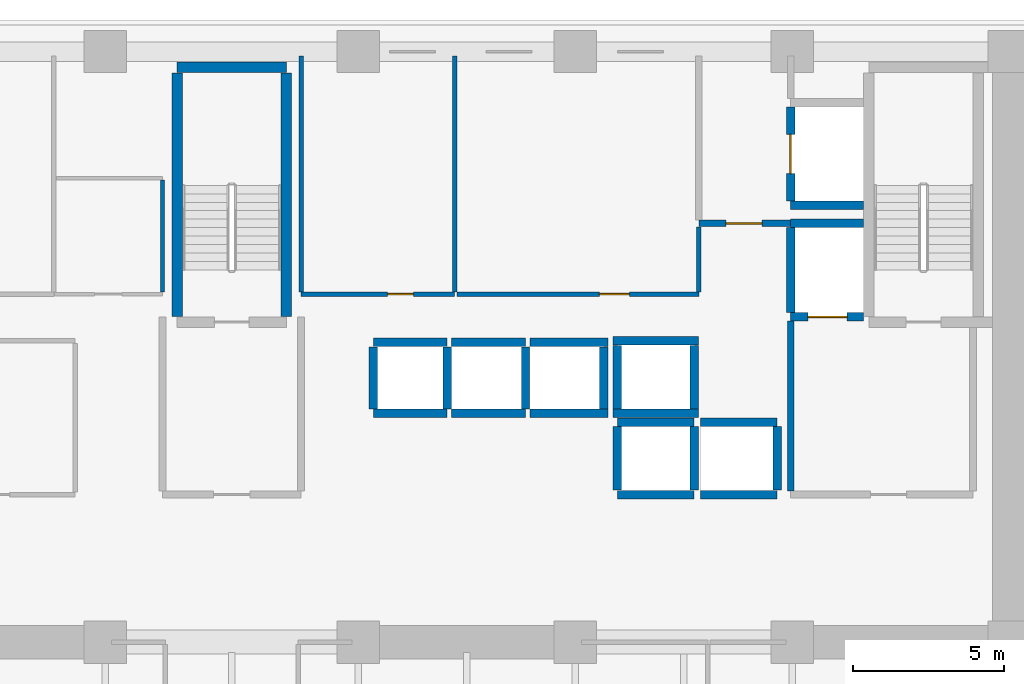
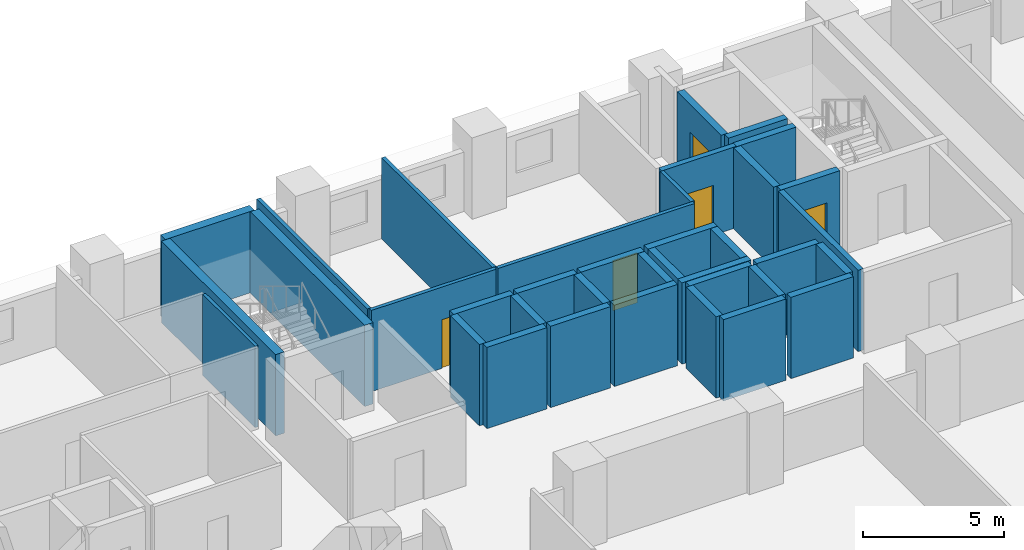
# One storey, part 8 of 15: 37 walls, 5 doors, 5 openings.
"""IFC4 building model written with IfcOpenShell, lengths in metres."""

from ifc_helpers import new_model, si_unit, direction, frame, frame_2d, origin, place, context, subcontext, project, spatial, rectangle, extrude, material, layer, layer_set, type_object, element, fill, save


model = new_model("IFC4")

# Units and contexts
model_context = context("Model", 3, precision=1e-05, world=origin(), true_north=direction((0.0, 1.0)))
body_context = subcontext(model_context, "Body", "Model", "MODEL_VIEW")
ifc_project = project(units=[si_unit("LENGTHUNIT", "METRE"), si_unit("AREAUNIT", "SQUARE_METRE"), si_unit("VOLUMEUNIT", "CUBIC_METRE"), si_unit("PLANEANGLEUNIT", "RADIAN"), si_unit("MASSUNIT", "GRAM", prefix="KILO")], contexts=[model_context])

# Site, building, storey
site_placement = place(None, origin())
site = spatial("IfcSite", under=ifc_project, at=site_placement, CompositionType="ELEMENT")
building_placement = place(site_placement, origin())
building = spatial("IfcBuilding", under=site, at=building_placement, Name="Kaelvorn Grand Hotel", CompositionType="ELEMENT")
storey_placement = place(building_placement, frame((0.0, 0.0, 50.14990234375)))
storey = spatial("IfcBuildingStorey", under=building, at=storey_placement, Name="L10", CompositionType="ELEMENT", Elevation=50.14990234375)

# Wall
ifc_material_1 = material(Name="Moisture-Resistant Tile & Stud Board")
ifc_layer_1 = layer(ifc_material_1, 0.125)
ifc_layer_set_1 = layer_set([ifc_layer_1], Name="Moisture-Resistant Tile & Stud Board")
wall_type_1 = type_object("IfcWallType", Name="WL-PART-125-WET", PredefinedType="PARTITIONING", material=ifc_layer_set_1)
wall_1_placement = place(storey_placement, frame((39.699951171875, 41.017578125, 0.0), z_axis=(0.0, 0.0, 1.0), x_axis=(0.0, 1.0, 0.0)))
element("IfcWall", 1, at=wall_1_placement, inside=storey, type_object=wall_type_1, Name="L10 Accessible WC E Partition", PredefinedType="PARTITIONING", context=body_context, shape_type="SweptSolid", body=[
    extrude(rectangle(XDim=3.71484375, YDim=0.125, at=frame_2d((1.857421875, 0.0))), origin(), (0.0, 0.0, 1.0), 3.510009765625),
])

# Wall, opening, door
ifc_material_2 = material(Name="Acoustic Gypsum & Stud Partition")
ifc_layer_2 = layer(ifc_material_2, 0.14990234375)
ifc_layer_set_2 = layer_set([ifc_layer_2], Name="Acoustic Gypsum & Stud Partition")
wall_type_2 = type_object("IfcWallType", Name="WL-PART-150-EI60", PredefinedType="PARTITIONING", material=ifc_layer_set_2)
wall_2_placement = place(storey_placement, frame((44.300048828125, 40.949951171875, 0.0), z_axis=(0.0, 0.0, 1.0), x_axis=(1.0, 0.0, 0.0)))
wall_2 = element("IfcWall", 2, at=wall_2_placement, inside=storey, type_object=wall_type_2, Name="L10 Laundry Chute Vestibule S Partition", PredefinedType="PARTITIONING", context=body_context, shape_type="SweptSolid", body=[
    extrude(rectangle(XDim=5.099853515625, YDim=0.14990234375, at=frame_2d((2.5498046875, 0.0))), origin(), (0.0, 0.0, 1.0), 3.510009765625),
])
opening_1_placement = place(wall_2_placement, frame((2.875, 0.0, 0.0)))
opening_1 = element("IfcOpeningElement", 3, at=opening_1_placement, cuts=wall_2, Name="Opening DI7", PredefinedType="OPENING", context=body_context, shape_type="SweptSolid", body=[
    extrude(rectangle(XDim=0.85009765625, YDim=2.10009765625, at=frame_2d((0.425048828125, 1.050048828125))), frame((0.0, 0.0849609375, 0.0), z_axis=(0.0, -1.0, 0.0), x_axis=(1.0, 0.0, 0.0)), (0.0, 0.0, 1.0), 0.169921875),
])
ifc_material_3 = material(Name="Powder-Coated Steel Leaf", Category="steel")
door_type_1 = type_object("IfcDoorType", Name="DR-INT-RISER-850x2100", OperationType="NOTDEFINED", PredefinedType="DOOR", material=ifc_material_3)
door_1_placement = place(opening_1_placement, origin())
door_1 = element("IfcDoor", 4, at=door_1_placement, inside=storey, type_object=door_type_1, Name="L10 Laundry Chute Vestibule Door", OperationType="SINGLE_SWING_RIGHT", OverallHeight=2.10009765625, OverallWidth=0.85009765625, PredefinedType="DOOR", context=body_context, shape_type="SweptSolid", body=[
    extrude(rectangle(XDim=0.85009765625, YDim=2.10009765625, at=frame_2d((0.425048828125, 1.050048828125))), frame((0.0, 0.02490234375, 0.0), z_axis=(0.0, -1.0, 0.0), x_axis=(1.0, 0.0, 0.0)), (0.0, 0.0, 1.0), 0.050048828125),
])
fill(opening_1, door_1)

# Walls
for number, where, z_axis, x_axis, name in (
    (5, (44.300048828125, 41.030029296875, 0.0), (0.0, 0.0, 1.0), (0.0, 1.0, 0.0), "L10 Laundry Chute Vestibule W Partition"),
    (6, (49.39990234375, 41.030029296875, 0.0), (0.0, 0.0, 1.0), (0.0, 1.0, 0.0), "L10 Laundry Chute Vestibule E Partition"),
):
    element("IfcWall", number, at=place(storey_placement, frame(where, z_axis=z_axis, x_axis=x_axis)), inside=storey, type_object=wall_type_2, Name=name, PredefinedType="PARTITIONING", context=body_context, shape_type="SweptSolid", body=[
        extrude(rectangle(XDim=7.820068359375, YDim=0.14990234375, at=frame_2d((3.91015625, 0.0))), origin(), (0.0, 0.0, 1.0), 3.510009765625),
    ])

# Wall, opening, door
wall_3_placement = place(storey_placement, frame((49.47998046875, 40.949951171875, 0.0), z_axis=(0.0, 0.0, 1.0), x_axis=(1.0, 0.0, 0.0)))
wall_3 = element("IfcWall", 7, at=wall_3_placement, inside=storey, type_object=wall_type_2, Name="L10 Butler Servery Pantry S Partition", PredefinedType="PARTITIONING", context=body_context, shape_type="SweptSolid", body=[
    extrude(rectangle(XDim=8.02001953125, YDim=0.14990234375, at=frame_2d((4.010009765625, 0.0))), origin(), (0.0, 0.0, 1.0), 3.510009765625),
])
opening_2_placement = place(wall_3_placement, frame((4.719970703125, 0.0, 0.0)))
opening_2 = element("IfcOpeningElement", 8, at=opening_2_placement, cuts=wall_3, Name="Opening DI3", PredefinedType="OPENING", context=body_context, shape_type="SweptSolid", body=[
    extrude(rectangle(XDim=1.0, YDim=2.14990234375, at=frame_2d((0.5, 1.074951171875))), frame((0.0, 0.0849609375, 0.0), z_axis=(0.0, -1.0, 0.0), x_axis=(1.0, 0.0, 0.0)), (0.0, 0.0, 1.0), 0.169921875),
])
ifc_material_4 = material(Name="Timber Veneer Fire Leaf", Category="wood")
door_type_2 = type_object("IfcDoorType", Name="DR-INT-GUEST-1000x2150", OperationType="NOTDEFINED", PredefinedType="DOOR", material=ifc_material_4)
door_2_placement = place(opening_2_placement, origin())
door_2 = element("IfcDoor", 9, at=door_2_placement, inside=storey, type_object=door_type_2, Name="L10 Butler Servery Pantry Door", OperationType="SINGLE_SWING_LEFT", OverallHeight=2.14990234375, OverallWidth=1.0, PredefinedType="DOOR", context=body_context, shape_type="SweptSolid", body=[
    extrude(rectangle(XDim=1.0, YDim=2.14990234375, at=frame_2d((0.5, 1.074951171875))), frame((0.0, 0.02490234375, 0.0), z_axis=(0.0, -1.0, 0.0), x_axis=(1.0, 0.0, 0.0)), (0.0, 0.0, 1.0), 0.050048828125),
])
fill(opening_2, door_2)

# Walls
wall_4_placement = place(storey_placement, frame((57.5, 41.030029296875, 0.0), z_axis=(0.0, 0.0, 1.0), x_axis=(0.0, 1.0, 0.0)))
element("IfcWall", 10, at=wall_4_placement, inside=storey, type_object=wall_type_2, Name="L10 Butler Servery Pantry E Partition", PredefinedType="PARTITIONING", context=body_context, shape_type="SweptSolid", body=[
    extrude(rectangle(XDim=2.155029296875, YDim=0.14990234375, at=frame_2d((1.07763671875, 0.0))), origin(), (0.0, 0.0, 1.0), 3.510009765625),
])
ifc_material_5 = material(Name="Concrete C40/50", Category="concrete")
ifc_layer_3 = layer(ifc_material_5, 0.219970703125)
ifc_layer_set_3 = layer_set([ifc_layer_3], Name="Concrete C40/50")
wall_type_3 = type_object("IfcWallType", Name="WL-PART-220-EI120", PredefinedType="PARTITIONING", material=ifc_layer_set_3)
wall_5_placement = place(storey_placement, frame((60.550048828125, 34.4150390625, 0.0), z_axis=(0.0, 0.0, 1.0), x_axis=(0.0, 1.0, 0.0)))
element("IfcWall", 11, at=wall_5_placement, inside=storey, type_object=wall_type_3, Name="L10 Firefighting Lift Lobby 2 W Partition", PredefinedType="PARTITIONING", context=body_context, shape_type="SweptSolid", body=[
    extrude(rectangle(XDim=5.639892578125, YDim=0.219970703125, at=frame_2d((2.81982421875, 0.0))), origin(), (0.0, 0.0, 1.0), 3.510009765625),
])

# Wall, opening, door
wall_6_placement = place(storey_placement, frame((57.5, 43.300048828125, 0.0), z_axis=(0.0, 0.0, 1.0), x_axis=(1.0, 0.0, 0.0)))
wall_6 = element("IfcWall", 12, at=wall_6_placement, inside=storey, type_object=wall_type_3, Name="L10 Service Lift Lobby S Partition", PredefinedType="PARTITIONING", context=body_context, shape_type="SweptSolid", body=[
    extrude(rectangle(XDim=3.0400390625, YDim=0.219970703125, at=frame_2d((1.52001953125, 0.0))), origin(), (0.0, 0.0, 1.0), 3.510009765625),
])
opening_3_placement = place(wall_6_placement, frame((0.89990234375, 0.0, 0.0)))
opening_3 = element("IfcOpeningElement", 13, at=opening_3_placement, cuts=wall_6, Name="Opening DI2", PredefinedType="OPENING", context=body_context, shape_type="SweptSolid", body=[
    extrude(rectangle(XDim=1.199951171875, YDim=2.14990234375, at=frame_2d((0.60009765625, 1.074951171875))), frame((0.0, 0.1201171875, 0.0), z_axis=(0.0, -1.0, 0.0), x_axis=(1.0, 0.0, 0.0)), (0.0, 0.0, 1.0), 0.239990234375),
])
door_type_3 = type_object("IfcDoorType", Name="DR-INT-FFLOB-1200x2150", OperationType="NOTDEFINED", PredefinedType="DOOR", material=ifc_material_4)
door_3_placement = place(opening_3_placement, origin())
door_3 = element("IfcDoor", 14, at=door_3_placement, inside=storey, type_object=door_type_3, Name="L10 Service Lift Lobby Door", OperationType="SINGLE_SWING_LEFT", OverallHeight=2.14990234375, OverallWidth=1.199951171875, PredefinedType="DOOR", context=body_context, shape_type="SweptSolid", body=[
    extrude(rectangle(XDim=1.199951171875, YDim=2.14990234375, at=frame_2d((0.60009765625, 1.074951171875))), frame((0.0, 0.02490234375, 0.0), z_axis=(0.0, -1.0, 0.0), x_axis=(1.0, 0.0, 0.0)), (0.0, 0.0, 1.0), 0.050048828125),
])
fill(opening_3, door_3)

# Walls
ifc_material_6 = material(Name="Concrete C50/60", Category="concrete")
ifc_layer_4 = layer(ifc_material_6, 0.280029296875)
ifc_layer_set_4 = layer_set([ifc_layer_4], Name="Concrete C50/60")
wall_type_4 = type_object("IfcWallType", Name="WL-SHAFT-280-C50", PredefinedType="SHEAR", material=ifc_layer_set_4)
for number, where, z_axis, x_axis, name in (
    (15, (46.699951171875, 37.0, 0.0), (0.0, 0.0, 1.0), (1.0, 0.0, 0.0), "L10 Lift SL-1 Shaft South Wall"),
    (16, (46.699951171875, 39.35009765625, 0.0), (0.0, 0.0, 1.0), (1.0, 0.0, 0.0), "L10 Lift SL-1 Shaft North Wall"),
):
    element("IfcWall", number, at=place(storey_placement, frame(where, z_axis=z_axis, x_axis=x_axis)), inside=storey, type_object=wall_type_4, Name=name, PredefinedType="SHEAR", context=body_context, shape_type="SweptSolid", body=[
        extrude(rectangle(XDim=2.449951171875, YDim=0.280029296875, at=frame_2d((1.22509765625, 0.0))), origin(), (0.0, 0.0, 1.0), 3.510009765625),
    ])
for number, where, z_axis, x_axis, name in (
    (17, (46.699951171875, 37.14501953125, 0.0), (0.0, 0.0, 1.0), (0.0, 1.0, 0.0), "L10 Lift SL-1 Shaft West Wall"),
    (18, (49.14990234375, 37.14501953125, 0.0), (0.0, 0.0, 1.0), (0.0, 1.0, 0.0), "L10 Lift SL-1 Shaft East Wall"),
):
    element("IfcWall", number, at=place(storey_placement, frame(where, z_axis=z_axis, x_axis=x_axis)), inside=storey, type_object=wall_type_4, Name=name, PredefinedType="SHEAR", context=body_context, shape_type="SweptSolid", body=[
        extrude(rectangle(XDim=2.06005859375, YDim=0.280029296875, at=frame_2d((1.030029296875, 0.0))), origin(), (0.0, 0.0, 1.0), 3.510009765625),
    ])
for number, where, z_axis, x_axis, name in (
    (19, (49.300048828125, 37.0, 0.0), (0.0, 0.0, 1.0), (1.0, 0.0, 0.0), "L10 Lift SL-2 Shaft South Wall"),
    (20, (49.300048828125, 39.35009765625, 0.0), (0.0, 0.0, 1.0), (1.0, 0.0, 0.0), "L10 Lift SL-2 Shaft North Wall"),
):
    element("IfcWall", number, at=place(storey_placement, frame(where, z_axis=z_axis, x_axis=x_axis)), inside=storey, type_object=wall_type_4, Name=name, PredefinedType="SHEAR", context=body_context, shape_type="SweptSolid", body=[
        extrude(rectangle(XDim=2.449951171875, YDim=0.280029296875, at=frame_2d((1.22509765625, 0.0))), origin(), (0.0, 0.0, 1.0), 3.510009765625),
    ])
wall_7_placement = place(storey_placement, frame((51.75, 37.14501953125, 0.0), z_axis=(0.0, 0.0, 1.0), x_axis=(0.0, 1.0, 0.0)))
element("IfcWall", 21, at=wall_7_placement, inside=storey, type_object=wall_type_4, Name="L10 Lift SL-2 Shaft East Wall", PredefinedType="SHEAR", context=body_context, shape_type="SweptSolid", body=[
    extrude(rectangle(XDim=2.06005859375, YDim=0.280029296875, at=frame_2d((1.030029296875, 0.0))), origin(), (0.0, 0.0, 1.0), 3.510009765625),
])
for number, where, z_axis, x_axis, name in (
    (22, (51.89990234375, 37.0, 0.0), (0.0, 0.0, 1.0), (1.0, 0.0, 0.0), "L10 Lift SL-3 Shaft South Wall"),
    (23, (51.89990234375, 39.35009765625, 0.0), (0.0, 0.0, 1.0), (1.0, 0.0, 0.0), "L10 Lift SL-3 Shaft North Wall"),
):
    element("IfcWall", number, at=place(storey_placement, frame(where, z_axis=z_axis, x_axis=x_axis)), inside=storey, type_object=wall_type_4, Name=name, PredefinedType="SHEAR", context=body_context, shape_type="SweptSolid", body=[
        extrude(rectangle(XDim=2.590087890625, YDim=0.280029296875, at=frame_2d((1.294921875, 0.0))), origin(), (0.0, 0.0, 1.0), 3.510009765625),
    ])
wall_8_placement = place(storey_placement, frame((54.35009765625, 37.14501953125, 0.0), z_axis=(0.0, 0.0, 1.0), x_axis=(0.0, 1.0, 0.0)))
element("IfcWall", 24, at=wall_8_placement, inside=storey, type_object=wall_type_4, Name="L10 Lift SL-3 Shaft East Wall", PredefinedType="SHEAR", context=body_context, shape_type="SweptSolid", body=[
    extrude(rectangle(XDim=2.06005859375, YDim=0.280029296875, at=frame_2d((1.030029296875, 0.0))), origin(), (0.0, 0.0, 1.0), 3.510009765625),
])
for number, where, z_axis, x_axis, name in (
    (25, (54.800048828125, 34.300048828125, 0.0), (0.0, 0.0, 1.0), (1.0, 0.0, 0.0), "L10 Lift OL-1 Shaft South Wall"),
    (26, (54.800048828125, 36.699951171875, 0.0), (0.0, 0.0, 1.0), (1.0, 0.0, 0.0), "L10 Lift OL-1 Shaft North Wall"),
):
    element("IfcWall", number, at=place(storey_placement, frame(where, z_axis=z_axis, x_axis=x_axis)), inside=storey, type_object=wall_type_4, Name=name, PredefinedType="SHEAR", context=body_context, shape_type="SweptSolid", body=[
        extrude(rectangle(XDim=2.550048828125, YDim=0.280029296875, at=frame_2d((1.27490234375, 0.0))), origin(), (0.0, 0.0, 1.0), 3.510009765625),
    ])
for number, where, z_axis, x_axis, name in (
    (27, (54.800048828125, 34.445068359375, 0.0), (0.0, 0.0, 1.0), (0.0, 1.0, 0.0), "L10 Lift OL-1 Shaft West Wall"),
    (28, (57.35009765625, 34.445068359375, 0.0), (0.0, 0.0, 1.0), (0.0, 1.0, 0.0), "L10 Lift OL-1 Shaft East Wall"),
):
    element("IfcWall", number, at=place(storey_placement, frame(where, z_axis=z_axis, x_axis=x_axis)), inside=storey, type_object=wall_type_4, Name=name, PredefinedType="SHEAR", context=body_context, shape_type="SweptSolid", body=[
        extrude(rectangle(XDim=2.10986328125, YDim=0.280029296875, at=frame_2d((1.054931640625, 0.0))), origin(), (0.0, 0.0, 1.0), 3.510009765625),
    ])
for number, where, z_axis, x_axis, name in (
    (29, (57.550048828125, 34.300048828125, 0.0), (0.0, 0.0, 1.0), (1.0, 0.0, 0.0), "L10 Lift OL-2 Shaft South Wall"),
    (30, (57.550048828125, 36.699951171875, 0.0), (0.0, 0.0, 1.0), (1.0, 0.0, 0.0), "L10 Lift OL-2 Shaft North Wall"),
):
    element("IfcWall", number, at=place(storey_placement, frame(where, z_axis=z_axis, x_axis=x_axis)), inside=storey, type_object=wall_type_4, Name=name, PredefinedType="SHEAR", context=body_context, shape_type="SweptSolid", body=[
        extrude(rectangle(XDim=2.550048828125, YDim=0.280029296875, at=frame_2d((1.27490234375, 0.0))), origin(), (0.0, 0.0, 1.0), 3.510009765625),
    ])
wall_9_placement = place(storey_placement, frame((60.10009765625, 34.445068359375, 0.0), z_axis=(0.0, 0.0, 1.0), x_axis=(0.0, 1.0, 0.0)))
element("IfcWall", 31, at=wall_9_placement, inside=storey, type_object=wall_type_4, Name="L10 Lift OL-2 Shaft East Wall", PredefinedType="SHEAR", context=body_context, shape_type="SweptSolid", body=[
    extrude(rectangle(XDim=2.10986328125, YDim=0.280029296875, at=frame_2d((1.054931640625, 0.0))), origin(), (0.0, 0.0, 1.0), 3.510009765625),
])
for number, where, z_axis, x_axis, name in (
    (32, (54.659912109375, 37.0, 0.0), (0.0, 0.0, 1.0), (1.0, 0.0, 0.0), "L10 Lift OL-3 Shaft South Wall"),
    (33, (54.659912109375, 39.39990234375, 0.0), (0.0, 0.0, 1.0), (1.0, 0.0, 0.0), "L10 Lift OL-3 Shaft North Wall"),
):
    element("IfcWall", number, at=place(storey_placement, frame(where, z_axis=z_axis, x_axis=x_axis)), inside=storey, type_object=wall_type_4, Name=name, PredefinedType="SHEAR", context=body_context, shape_type="SweptSolid", body=[
        extrude(rectangle(XDim=2.830078125, YDim=0.280029296875, at=frame_2d((1.4150390625, 0.0))), origin(), (0.0, 0.0, 1.0), 3.510009765625),
    ])
for number, where, z_axis, x_axis, name in (
    (34, (54.800048828125, 37.14501953125, 0.0), (0.0, 0.0, 1.0), (0.0, 1.0, 0.0), "L10 Lift OL-3 Shaft West Wall"),
    (35, (57.35009765625, 37.14501953125, 0.0), (0.0, 0.0, 1.0), (0.0, 1.0, 0.0), "L10 Lift OL-3 Shaft East Wall"),
):
    element("IfcWall", number, at=place(storey_placement, frame(where, z_axis=z_axis, x_axis=x_axis)), inside=storey, type_object=wall_type_4, Name=name, PredefinedType="SHEAR", context=body_context, shape_type="SweptSolid", body=[
        extrude(rectangle(XDim=2.10986328125, YDim=0.280029296875, at=frame_2d((1.054931640625, 0.0))), origin(), (0.0, 0.0, 1.0), 3.510009765625),
    ])

# Wall, opening, door
wall_10_placement = place(storey_placement, frame((60.550048828125, 40.199951171875, 0.0), z_axis=(0.0, 0.0, 1.0), x_axis=(1.0, 0.0, 0.0)))
wall_10 = element("IfcWall", 36, at=wall_10_placement, inside=storey, type_object=wall_type_4, Name="L10 Lift FFL2 Shaft South Wall", PredefinedType="SHEAR", context=body_context, shape_type="SweptSolid", body=[
    extrude(rectangle(XDim=2.4150390625, YDim=0.280029296875, at=frame_2d((1.20751953125, 0.0))), origin(), (0.0, 0.0, 1.0), 3.510009765625),
])
opening_4_placement = place(wall_10_placement, frame((0.574951171875, 0.0, 0.0)))
opening_4 = element("IfcOpeningElement", 37, at=opening_4_placement, cuts=wall_10, Name="Opening LD-FFL2", PredefinedType="OPENING", context=body_context, shape_type="SweptSolid", body=[
    extrude(rectangle(XDim=1.300048828125, YDim=2.300048828125, at=frame_2d((0.64990234375, 1.14990234375))), frame((0.0, 0.14990234375, 0.0), z_axis=(0.0, -1.0, 0.0), x_axis=(1.0, 0.0, 0.0)), (0.0, 0.0, 1.0), 0.300048828125),
])
ifc_material_7 = material(Name="Stainless Steel", Category="steel")
door_type_4 = type_object("IfcDoorType", Name="DR-LIFT-SERV-1300x2300", OperationType="DOUBLE_DOOR_SLIDING", PredefinedType="DOOR", material=ifc_material_7)
door_4_placement = place(opening_4_placement, origin())
door_4 = element("IfcDoor", 38, at=door_4_placement, inside=storey, type_object=door_type_4, Name="L10 Lift FFL2 Sliding Landing Door LD-FFL2", OperationType="DOUBLE_DOOR_SLIDING", OverallHeight=2.300048828125, OverallWidth=1.300048828125, PredefinedType="DOOR", context=body_context, shape_type="SweptSolid", body=[
    extrude(rectangle(XDim=1.300048828125, YDim=2.300048828125, at=frame_2d((0.64990234375, 1.14990234375))), frame((0.0, 0.02490234375, 0.0), z_axis=(0.0, -1.0, 0.0), x_axis=(1.0, 0.0, 0.0)), (0.0, 0.0, 1.0), 0.050048828125),
])
fill(opening_4, door_4)

# Walls
wall_11_placement = place(storey_placement, frame((60.550048828125, 43.300048828125, 0.0), z_axis=(0.0, 0.0, 1.0), x_axis=(1.0, 0.0, 0.0)))
element("IfcWall", 39, at=wall_11_placement, inside=storey, type_object=wall_type_4, Name="L10 Lift FFL2 Shaft North Wall", PredefinedType="SHEAR", context=body_context, shape_type="SweptSolid", body=[
    extrude(rectangle(XDim=2.4150390625, YDim=0.280029296875, at=frame_2d((1.20751953125, 0.0))), origin(), (0.0, 0.0, 1.0), 3.510009765625),
])
wall_12_placement = place(storey_placement, frame((60.550048828125, 40.344970703125, 0.0), z_axis=(0.0, 0.0, 1.0), x_axis=(0.0, 1.0, 0.0)))
element("IfcWall", 40, at=wall_12_placement, inside=storey, type_object=wall_type_4, Name="L10 Lift FFL2 Shaft West Wall", PredefinedType="SHEAR", context=body_context, shape_type="SweptSolid", body=[
    extrude(rectangle(XDim=2.81005859375, YDim=0.280029296875, at=frame_2d((1.405029296875, 0.0))), origin(), (0.0, 0.0, 1.0), 3.510009765625),
])
wall_13_placement = place(storey_placement, frame((60.550048828125, 43.89990234375, 0.0), z_axis=(0.0, 0.0, 1.0), x_axis=(1.0, 0.0, 0.0)))
element("IfcWall", 41, at=wall_13_placement, inside=storey, type_object=wall_type_4, Name="L10 Lift SV1 Shaft South Wall", PredefinedType="SHEAR", context=body_context, shape_type="SweptSolid", body=[
    extrude(rectangle(XDim=2.4150390625, YDim=0.280029296875, at=frame_2d((1.20751953125, 0.0))), origin(), (0.0, 0.0, 1.0), 3.510009765625),
])

# Wall, opening, door
wall_14_placement = place(storey_placement, frame((60.550048828125, 44.044921875, 0.0), z_axis=(0.0, 0.0, 1.0), x_axis=(0.0, 1.0, 0.0)))
wall_14 = element("IfcWall", 42, at=wall_14_placement, inside=storey, type_object=wall_type_4, Name="L10 Lift SV1 Shaft West Wall", PredefinedType="SHEAR", context=body_context, shape_type="SweptSolid", body=[
    extrude(rectangle(XDim=3.110107421875, YDim=0.280029296875, at=frame_2d((1.55517578125, 0.0))), origin(), (0.0, 0.0, 1.0), 3.510009765625),
])
opening_5_placement = place(wall_14_placement, frame((0.905029296875, 0.0, 0.0)))
opening_5 = element("IfcOpeningElement", 43, at=opening_5_placement, cuts=wall_14, Name="Opening LD-SV1", PredefinedType="OPENING", context=body_context, shape_type="SweptSolid", body=[
    extrude(rectangle(XDim=1.300048828125, YDim=2.300048828125, at=frame_2d((0.64990234375, 1.14990234375))), frame((0.0, 0.14990234375, 0.0), z_axis=(0.0, -1.0, 0.0), x_axis=(1.0, 0.0, 0.0)), (0.0, 0.0, 1.0), 0.300048828125),
])
door_5_placement = place(opening_5_placement, origin())
door_5 = element("IfcDoor", 44, at=door_5_placement, inside=storey, type_object=door_type_4, Name="L10 Lift SV1 Sliding Landing Door LD-SV1", OperationType="DOUBLE_DOOR_SLIDING", OverallHeight=2.300048828125, OverallWidth=1.300048828125, PredefinedType="DOOR", context=body_context, shape_type="SweptSolid", body=[
    extrude(rectangle(XDim=1.300048828125, YDim=2.300048828125, at=frame_2d((0.64990234375, 1.14990234375))), frame((0.0, 0.02490234375, 0.0), z_axis=(0.0, -1.0, 0.0), x_axis=(1.0, 0.0, 0.0)), (0.0, 0.0, 1.0), 0.050048828125),
])
fill(opening_5, door_5)

# Walls
ifc_material_8 = material(Name="Concrete C60/75", Category="concrete")
ifc_layer_5 = layer(ifc_material_8, 0.35009765625)
ifc_layer_set_5 = layer_set([ifc_layer_5], Name="Concrete C60/75")
wall_type_5 = type_object("IfcWallType", Name="WL-SHAFT-350-C60", PredefinedType="SHEAR", material=ifc_layer_set_5)
wall_15_placement = place(storey_placement, frame((40.18505859375, 48.47509765625, 0.0), z_axis=(0.0, 0.0, 1.0), x_axis=(1.0, 0.0, 0.0)))
element("IfcWall", 45, at=wall_15_placement, inside=storey, type_object=wall_type_5, Name="L10 ST2 Stair Shaft North Wall", PredefinedType="SHEAR", context=body_context, shape_type="SweptSolid", body=[
    extrude(rectangle(XDim=3.6298828125, YDim=0.35009765625, at=frame_2d((1.81494140625, 0.0))), origin(), (0.0, 0.0, 1.0), 3.510009765625),
])
for number, where, z_axis, x_axis, name in (
    (46, (40.18505859375, 40.205078125, 0.0), (0.0, 0.0, 1.0), (0.0, 1.0, 0.0), "L10 ST2 Stair Shaft West Wall"),
    (47, (43.81494140625, 40.205078125, 0.0), (0.0, 0.0, 1.0), (0.0, 1.0, 0.0), "L10 ST2 Stair Shaft East Wall"),
):
    element("IfcWall", number, at=place(storey_placement, frame(where, z_axis=z_axis, x_axis=x_axis)), inside=storey, type_object=wall_type_5, Name=name, PredefinedType="SHEAR", context=body_context, shape_type="SweptSolid", body=[
        extrude(rectangle(XDim=8.08984375, YDim=0.35009765625, at=frame_2d((4.044921875, 0.0))), origin(), (0.0, 0.0, 1.0), 3.510009765625),
    ])

save(model, "model.ifc")
